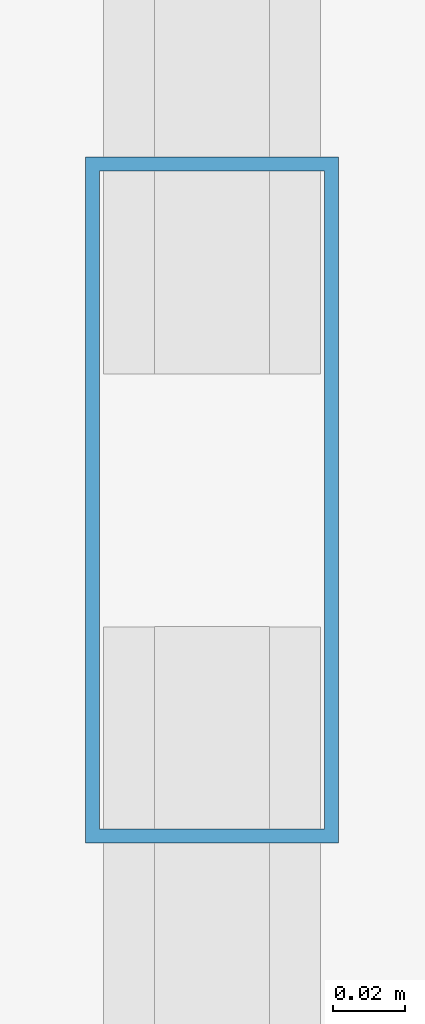
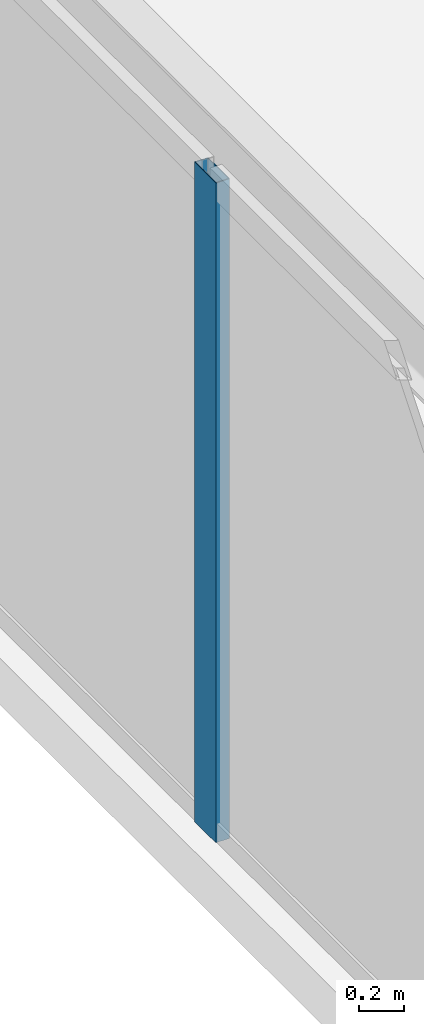
# One storey, part 6 of 33: 1 member, 1 element without a shape of its own.
"""IFC4 building model written with IfcOpenShell, lengths in metres."""

import ifcopenshell
import ifcopenshell.guid

model = None  # the IFC model being written
_history = None  # IfcOwnerHistory: only IFC2X3 demands one
_inside = {}  # id of a spatial element -> (the spatial element, [elements in it])
_under = {}  # id of a project, library or spatial element -> (it, [spatial elements below it])
_declared = {}  # id of a project -> (the project, [libraries it declares])
_typed = {}  # id of a type object -> (the type object, [elements of that type])
_made_of = {}  # id of a material, layer set ... -> (it, [elements and type objects made of it])


def new_model(schema):
    """Start an empty IFC model of exactly this schema.

    Asked for "IFC4X3", IfcOpenShell would pick the latest addendum, in which some entities
    have other attributes; the version numbers below select the first issue.
    IFC2X3 requires an IfcOwnerHistory on every rooted entity: one is made here for all.
    """
    global model, _history
    if schema == "IFC4X3":
        model = ifcopenshell.file(schema_version=(4, 3, 0, 0))
    else:
        model = ifcopenshell.file(schema=schema)
    _inside.clear()
    _under.clear()
    _declared.clear()
    _typed.clear()
    _made_of.clear()
    _history = None
    if model.schema == "IFC2X3":
        org = make("IfcOrganization", Name="unknown")
        user = make(
            "IfcPersonAndOrganization",
            ThePerson=make("IfcPerson", FamilyName="unknown"),
            TheOrganization=org,
        )
        app = make(
            "IfcApplication",
            ApplicationDeveloper=org,
            Version="unknown",
            ApplicationFullName="unknown",
            ApplicationIdentifier="unknown",
        )
        _history = make(
            "IfcOwnerHistory",
            OwningUser=user,
            OwningApplication=app,
            ChangeAction="ADDED",
            CreationDate=0,
        )
    return model


def make(cls, **values):
    """One entity of the class cls with the attributes given. An attribute that is None is left unset."""
    return model.create_entity(
        cls, **{name: value for name, value in values.items() if value is not None}
    )


def rooted(cls, **values):
    """An entity with a GlobalId (a new one), such as an element, a storey or a relation."""
    return make(cls, GlobalId=ifcopenshell.guid.new(), OwnerHistory=_history, **values)


def si_unit(unit_type, name, prefix=None):
    """IfcSIUnit, for example si_unit("LENGTHUNIT", "METRE", prefix="MILLI")."""
    return make("IfcSIUnit", UnitType=unit_type, Prefix=prefix, Name=name)


def assignment(units):
    """IfcUnitAssignment: the units of a project."""
    return None if units is None else make("IfcUnitAssignment", Units=units)


def point(xyz):
    """IfcCartesianPoint."""
    return None if xyz is None else make("IfcCartesianPoint", Coordinates=xyz)


def direction(xyz):
    """IfcDirection."""
    return None if xyz is None else make("IfcDirection", DirectionRatios=xyz)


def frame(location, z_axis=None, x_axis=None):
    """IfcAxis2Placement3D, a coordinate frame: its origin and axes. An axis left out is left unset."""
    return make(
        "IfcAxis2Placement3D",
        Location=point(location),
        Axis=direction(z_axis),
        RefDirection=direction(x_axis),
    )


def frame_2d(location, x_axis=None):
    """IfcAxis2Placement2D, a coordinate frame in the plane: its origin and x axis."""
    return make(
        "IfcAxis2Placement2D", Location=point(location), RefDirection=direction(x_axis)
    )


def origin():
    """The frame at (0, 0, 0) with its axes left unset."""
    return frame((0.0, 0.0, 0.0))


def origin_2d():
    """The frame at (0, 0) in the plane with its x axis left unset."""
    return frame_2d((0.0, 0.0))


def place(relative_to, where):
    """IfcLocalPlacement: puts the frame where relative to a parent placement (None: the world)."""
    return make(
        "IfcLocalPlacement", PlacementRelTo=relative_to, RelativePlacement=where
    )


def context(
    kind, dimensions, precision=None, world=None, true_north=None, identifier=None
):
    """IfcGeometricRepresentationContext, for example the 3D "Model" context."""
    return make(
        "IfcGeometricRepresentationContext",
        ContextIdentifier=identifier,
        ContextType=kind,
        CoordinateSpaceDimension=dimensions,
        Precision=precision,
        WorldCoordinateSystem=world,
        TrueNorth=true_north,
    )


def subcontext(parent, identifier, kind, view, scale=None):
    """IfcGeometricRepresentationSubContext, for example "Body" below "Model"."""
    return make(
        "IfcGeometricRepresentationSubContext",
        ContextIdentifier=identifier,
        ContextType=kind,
        ParentContext=parent,
        TargetScale=scale,
        TargetView=view,
    )


def project(units=None, contexts=None):
    """IfcProject with its units and contexts."""
    return rooted(
        "IfcProject",
        Name="project",
        RepresentationContexts=contexts,
        UnitsInContext=assignment(units),
    )


def spatial(cls, under=None, at=None, **own):
    """A site, building, storey or space (cls), placed at a placement, below another one or the project."""
    s = rooted(cls, ObjectPlacement=at, **own)
    if under is not None:
        _under.setdefault(under.id(), (under, []))[1].append(s)
    return s


def profile(cls, at=None, kind="AREA", **sizes):
    """A parametric profile (cls). Its sizes go by their IFC names, for example OverallWidth=200.0."""
    return make(cls, ProfileType=kind, Position=at, **sizes)


def hollow_rectangle(**sizes):
    """IfcRectangleHollowProfileDef."""
    return profile("IfcRectangleHollowProfileDef", **sizes)


def extrude(swept, where, along, depth):
    """IfcExtrudedAreaSolid: the profile swept, set in the frame where, extruded along a direction by depth."""
    return make(
        "IfcExtrudedAreaSolid",
        SweptArea=swept,
        Position=where,
        ExtrudedDirection=direction(along),
        Depth=depth,
    )


def shape(context_of_items, identifier, shape_type, items):
    """IfcShapeRepresentation: the items that make up one representation, for example the "Body"."""
    return make(
        "IfcShapeRepresentation",
        ContextOfItems=context_of_items,
        RepresentationIdentifier=identifier,
        RepresentationType=shape_type,
        Items=items,
    )


def source(mapping_origin, context_of_items, identifier, shape_type, items):
    """IfcRepresentationMap: a shape defined once, which mapped items show again and again."""
    return make(
        "IfcRepresentationMap",
        MappingOrigin=mapping_origin,
        MappedRepresentation=shape(context_of_items, identifier, shape_type, items),
    )


def transform(
    local_origin,
    x_axis=None,
    y_axis=None,
    z_axis=None,
    scale=None,
    scale2=None,
    scale3=None,
    uniform=True,
):
    """IfcCartesianTransformationOperator3D, or its non-uniform kind. x_axis, y_axis, z_axis: its Axis1, 2, 3."""
    if uniform:
        return make(
            "IfcCartesianTransformationOperator3D",
            Axis1=direction(x_axis),
            Axis2=direction(y_axis),
            LocalOrigin=point(local_origin),
            Scale=scale,
            Axis3=direction(z_axis),
        )
    return make(
        "IfcCartesianTransformationOperator3DnonUniform",
        Axis1=direction(x_axis),
        Axis2=direction(y_axis),
        LocalOrigin=point(local_origin),
        Scale=scale,
        Axis3=direction(z_axis),
        Scale2=scale2,
        Scale3=scale3,
    )


def mapped(mapping_source, mapping_target):
    """IfcMappedItem: shows the shape of a source again, moved by a transform."""
    return make(
        "IfcMappedItem", MappingSource=mapping_source, MappingTarget=mapping_target
    )


def material(Name=None, Category=None):
    """IfcMaterial."""
    return make("IfcMaterial", Name=Name, Category=Category)


def layer(
    of_material, thickness, ventilated=None, Name=None, Category=None, Priority=None
):
    """IfcMaterialLayer: one layer of a wall or slab, of a material (None: an air gap)."""
    return make(
        "IfcMaterialLayer",
        Material=of_material,
        LayerThickness=thickness,
        IsVentilated=ventilated,
        Name=Name,
        Category=Category,
        Priority=Priority,
    )


def layer_set(layers, Name=None):
    """IfcMaterialLayerSet."""
    return make("IfcMaterialLayerSet", MaterialLayers=layers, LayerSetName=Name)


def material_profile(
    of_material, cross_section, Name=None, Category=None, Priority=None
):
    """IfcMaterialProfile: a cross section and its material."""
    return make(
        "IfcMaterialProfile",
        Name=Name,
        Material=of_material,
        Profile=cross_section,
        Priority=Priority,
        Category=Category,
    )


def profile_set(profiles, Name=None, composite=None):
    """IfcMaterialProfileSet."""
    return make(
        "IfcMaterialProfileSet",
        Name=Name,
        MaterialProfiles=profiles,
        CompositeProfile=composite,
    )


def made_of(thing, what):
    """Note that an element or type object is made of a material, layer set ...; save() writes the relation."""
    if what is not None:
        _made_of.setdefault(what.id(), (what, []))[1].append(thing)
    return thing


def type_object(cls, material=None, **own):
    """A type object (cls), such as IfcWallType, which elements share."""
    return made_of(rooted(cls, **own), material)


def type_shapes(of_type, sources):
    """Give a type object the sources (RepresentationMaps) that its elements show as mapped items."""
    of_type.RepresentationMaps = sources


def element(
    cls,
    number,
    at=None,
    inside=None,
    cuts=None,
    type_object=None,
    material=None,
    context=None,
    identifier="Body",
    shape_type=None,
    held_by="IfcProductDefinitionShape",
    body=None,
    shapes=None,
    **own,
):
    """One element of the class cls, such as IfcWall. Its Tag is "e" and its number.

    at: its placement. inside: the storey or other place that contains it. cuts: it is an
    opening in that element (IfcRelVoidsElement). A single representation is given by context,
    identifier, shape_type and body (its items); several are given by shapes. held_by: the class
    of the entity that holds the representations. save() writes the other relations.
    """
    e = rooted(cls, Tag="e%d" % number, ObjectPlacement=at, **own)
    if body is not None:
        shapes = [shape(context, identifier, shape_type, body)]
    if shapes is not None:
        e.Representation = make(held_by, Representations=shapes)
    if inside is not None:
        _inside.setdefault(inside.id(), (inside, []))[1].append(e)
    if cuts is not None:
        rooted(
            "IfcRelVoidsElement", RelatingBuildingElement=cuts, RelatedOpeningElement=e
        )
    if type_object is not None:
        _typed.setdefault(type_object.id(), (type_object, []))[1].append(e)
    return made_of(e, material)


def aggregate(whole, parts):
    """IfcRelAggregates: a whole, such as a stair, and the parts it consists of."""
    return rooted("IfcRelAggregates", RelatingObject=whole, RelatedObjects=parts)


def save(model, path):
    """Write the relations noted so far, then the file.

    IfcRelAggregates (storeys below a building ...), IfcRelContainedInSpatialStructure (elements
    in a storey), IfcRelDefinesByType, IfcRelAssociatesMaterial and IfcRelDeclares: one each for
    every whole, place, type object, material and project.
    """
    for whole, parts in _under.values():
        aggregate(whole, parts)
    for where, things in _inside.values():
        rooted(
            "IfcRelContainedInSpatialStructure",
            RelatedElements=things,
            RelatingStructure=where,
        )
    for kind, things in _typed.values():
        rooted("IfcRelDefinesByType", RelatedObjects=things, RelatingType=kind)
    for what, things in _made_of.values():
        rooted("IfcRelAssociatesMaterial", RelatedObjects=things, RelatingMaterial=what)
    for by, libraries in _declared.values():
        rooted("IfcRelDeclares", RelatingContext=by, RelatedDefinitions=libraries)
    model.write(path)


model = new_model("IFC4")

# Units and contexts
model_context = context("Model", 3, precision=1e-05, world=origin(), true_north=direction((0.0, 1.0)))
body_context = subcontext(model_context, "Body", "Model", "MODEL_VIEW")
ifc_project = project(units=[si_unit("LENGTHUNIT", "METRE"), si_unit("AREAUNIT", "SQUARE_METRE"), si_unit("VOLUMEUNIT", "CUBIC_METRE"), si_unit("PLANEANGLEUNIT", "RADIAN"), si_unit("MASSUNIT", "GRAM", prefix="KILO")], contexts=[model_context])

# Site, building, storey
site_placement = place(None, origin())
site = spatial("IfcSite", under=ifc_project, at=site_placement, CompositionType="ELEMENT")
building_placement = place(site_placement, origin())
building = spatial("IfcBuilding", under=site, at=building_placement, Name="Varnel Quay Broadcast Tower", CompositionType="ELEMENT")
storey_placement = place(building_placement, frame((0.0, 0.0, 129.60009765625)))
storey = spatial("IfcBuildingStorey", under=building, at=storey_placement, Name="L31", CompositionType="ELEMENT", Elevation=129.60009765625)

# Curtain wall, member
ifc_material = material(Name="Anodised Bronze Aluminium 6063-T6", Category="aluminium")
ifc_layer = layer(ifc_material, 0.18994140625, Name="Anodised Bronze Aluminium 6063-T6")
ifc_layer_set = layer_set([ifc_layer], Name="Anodised Bronze Aluminium 6063-T6")
curtain_wall_type = type_object("IfcCurtainWallType", Name="CW_LowerTower", PredefinedType="NOTDEFINED", material=ifc_layer_set)
curtain_wall_placement = place(storey_placement, origin())
curtain_wall = element("IfcCurtainWall", 1, at=curtain_wall_placement, inside=storey, type_object=curtain_wall_type, Name="L31 West Unitised Curtain Wall", PredefinedType="NOTDEFINED")
ifc_material_profile = material_profile(ifc_material, hollow_rectangle(XDim=0.070068359375, YDim=0.18994140625, WallThickness=0.00390625, at=origin_2d()), Name="ALU70X190X4")
ifc_profile_set = profile_set([ifc_material_profile], Name="Anodised Bronze Aluminium 6063-T6")
member_type = type_object("IfcMemberType", Name="Mull_CWS-02", PredefinedType="MULLION", material=ifc_profile_set)
shared_shape = source(origin(), body_context, "Body", "SweptSolid", [
    extrude(hollow_rectangle(XDim=0.070068359375, YDim=0.18994140625, WallThickness=0.00390625, at=origin_2d()), origin(), (0.0, 0.0, 1.0), 3.5498046875),
])
type_shapes(member_type, [shared_shape])
member_placement = place(storey_placement, frame((4.64990234375, 19.60009765625, 0.0), z_axis=(0.0, 0.0, 1.0), x_axis=(-1.0, 0.0, 0.0)))
member = element("IfcMember", 2, at=member_placement, type_object=member_type, Name="CWS-02 mullion 2", PredefinedType="MULLION", context=body_context, shape_type="MappedRepresentation", body=[
    mapped(shared_shape, transform((0.0, 0.0, 0.0), x_axis=(1.0, 0.0, 0.0), y_axis=(0.0, 1.0, 0.0), z_axis=(0.0, 0.0, 1.0), scale=1.0)),
])
aggregate(curtain_wall, [member])

save(model, "model.ifc")
